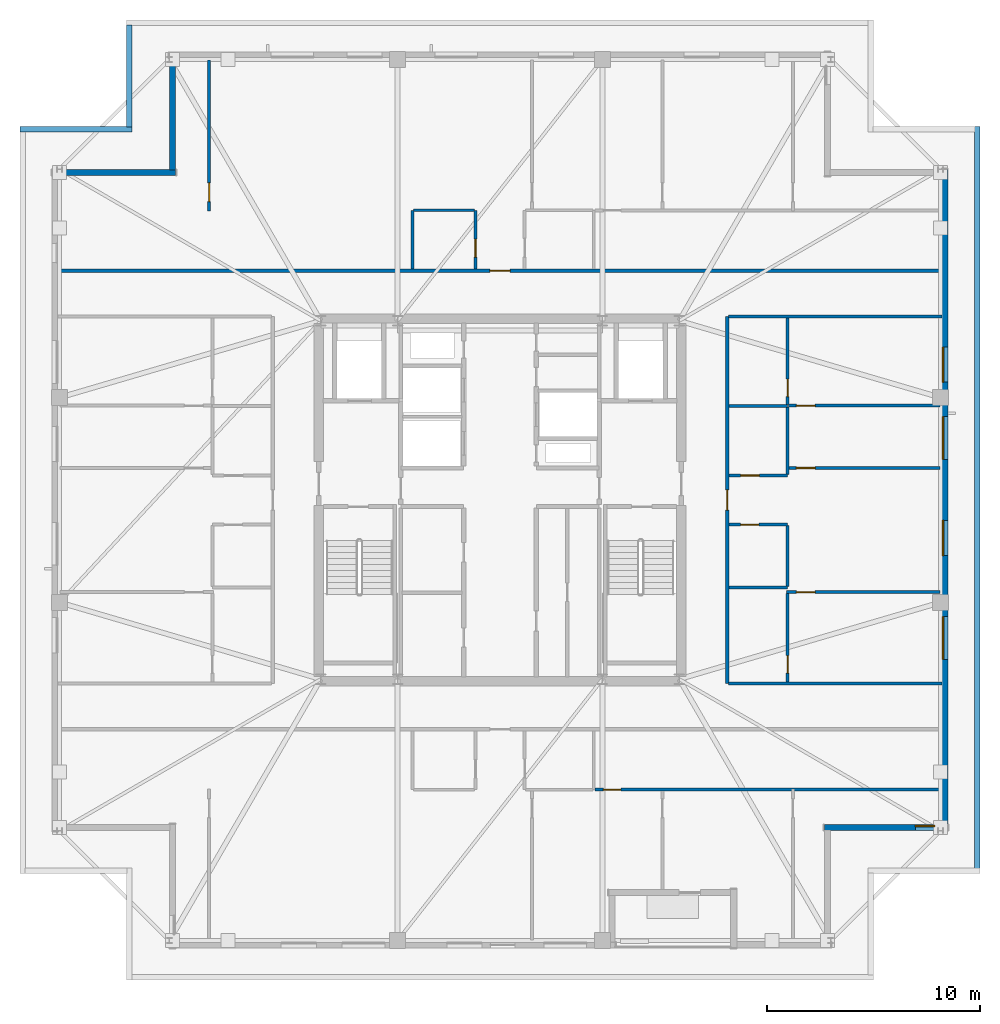
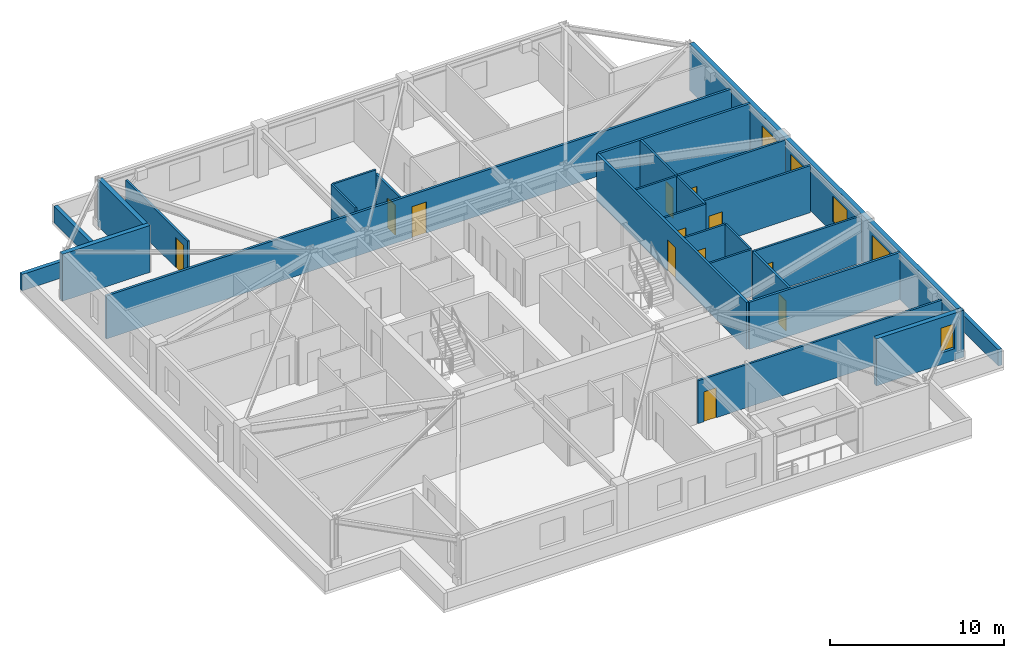
# One storey, part 10 of 15: 27 walls, 12 doors, 5 windows, 17 openings.
"""IFC4 building model written with IfcOpenShell, lengths in metres."""

from ifc_helpers import new_model, si_unit, direction, frame, frame_2d, origin, place, context, subcontext, project, spatial, rectangle, extrude, material, layer, layer_set, type_object, element, fill, save


model = new_model("IFC4")

# Units and contexts
model_context = context("Model", 3, precision=1e-05, world=origin(), true_north=direction((0.0, 1.0)))
body_context = subcontext(model_context, "Body", "Model", "MODEL_VIEW")
ifc_project = project(units=[si_unit("LENGTHUNIT", "METRE"), si_unit("AREAUNIT", "SQUARE_METRE"), si_unit("VOLUMEUNIT", "CUBIC_METRE"), si_unit("PLANEANGLEUNIT", "RADIAN"), si_unit("MASSUNIT", "GRAM", prefix="KILO")], contexts=[model_context])

# Site, building, storey
site_placement = place(None, origin())
site = spatial("IfcSite", under=ifc_project, at=site_placement, CompositionType="ELEMENT")
building_placement = place(site_placement, origin())
building = spatial("IfcBuilding", under=site, at=building_placement, Name="Cairnveth Concourse Tower", CompositionType="ELEMENT")
storey_placement = place(building_placement, frame((0.0, 0.0, 280.5)))
storey = spatial("IfcBuildingStorey", under=building, at=storey_placement, Name="L77", CompositionType="ELEMENT", Elevation=280.5)

# Wall, opening, door
ifc_material_1 = material(Name="Gypsum Plasterboard Partition", Category="gypsum")
ifc_layer_1 = layer(ifc_material_1, 0.159912109375)
ifc_layer_set_1 = layer_set([ifc_layer_1], Name="Gypsum Plasterboard Partition")
wall_type_1 = type_object("IfcWallType", Name="ACOUSTIC PARTY WALL 180", PredefinedType="PARTITIONING", material=ifc_layer_set_1)
wall_1_placement = place(storey_placement, frame((31.284912109375, 49.75, 0.0), z_axis=(0.0, 0.0, 1.0), x_axis=(1.0, 0.0, 0.0)))
wall_1 = element("IfcWall", 1, at=wall_1_placement, inside=storey, type_object=wall_type_1, Name="Interior Wall IW-L77-037", PredefinedType="PARTITIONING", context=body_context, shape_type="SweptSolid", body=[
    extrude(rectangle(XDim=41.43017578125, YDim=0.159912109375, at=frame_2d((20.715087890625, 0.0))), origin(), (0.0, 0.0, 1.0), 3.009033203125),
])
opening_1_placement = place(wall_1_placement, frame((20.235107421875, 0.0, 0.0)))
opening_1 = element("IfcOpeningElement", 2, at=opening_1_placement, cuts=wall_1, Name="Opening ID10", PredefinedType="OPENING", context=body_context, shape_type="SweptSolid", body=[
    extrude(rectangle(XDim=0.9599609375, YDim=2.179931640625, at=frame_2d((0.47998046875, 1.08984375))), frame((0.0, 0.08984375, 0.0), z_axis=(0.0, -1.0, 0.0), x_axis=(1.0, 0.0, 0.0)), (0.0, 0.0, 1.0), 0.179931640625),
])
ifc_material_2 = material(Name="Solid Core Hardwood Timber Leaf", Category="wood")
door_type_1 = type_object("IfcDoorType", Name="FLAT ENTRANCE DOOR 960X2150", OperationType="NOTDEFINED", PredefinedType="DOOR", material=ifc_material_2)
door_1_placement = place(opening_1_placement, origin())
door_1 = element("IfcDoor", 3, at=door_1_placement, inside=storey, type_object=door_type_1, Name="Penthouse L77PN1 Entrance Door", OperationType="SINGLE_SWING_LEFT", OverallHeight=2.179931640625, OverallWidth=0.9599609375, PredefinedType="DOOR", context=body_context, shape_type="SweptSolid", body=[
    extrude(rectangle(XDim=0.9599609375, YDim=2.179931640625, at=frame_2d((0.47998046875, 1.08984375))), frame((0.0, 0.02490234375, 0.0), z_axis=(0.0, -1.0, 0.0), x_axis=(1.0, 0.0, 0.0)), (0.0, 0.0, 1.0), 0.050048828125),
])
fill(opening_1, door_1)

wall_2_placement = place(storey_placement, frame((62.64990234375, 30.39990234375, 0.0), z_axis=(0.0, 0.0, 1.0), x_axis=(0.0, 1.0, 0.0)))
wall_2 = element("IfcWall", 4, at=wall_2_placement, inside=storey, type_object=wall_type_1, Name="Interior Wall IW-L77-039", PredefinedType="PARTITIONING", context=body_context, shape_type="SweptSolid", body=[
    extrude(rectangle(XDim=17.2001953125, YDim=0.159912109375, at=frame_2d((8.60009765625, 0.0))), origin(), (0.0, 0.0, 1.0), 3.2900390625),
])
opening_2_placement = place(wall_2_placement, frame((8.1201171875, 0.0, 0.0)))
opening_2 = element("IfcOpeningElement", 5, at=opening_2_placement, cuts=wall_2, Name="Opening ID10", PredefinedType="OPENING", context=body_context, shape_type="SweptSolid", body=[
    extrude(rectangle(XDim=0.9599609375, YDim=2.179931640625, at=frame_2d((0.47998046875, 1.08984375))), frame((0.0, 0.08984375, 0.0), z_axis=(0.0, -1.0, 0.0), x_axis=(1.0, 0.0, 0.0)), (0.0, 0.0, 1.0), 0.179931640625),
])
door_2_placement = place(opening_2_placement, origin())
door_2 = element("IfcDoor", 6, at=door_2_placement, inside=storey, type_object=door_type_1, Name="Penthouse L77PE1 Entrance Door", OperationType="SINGLE_SWING_LEFT", OverallHeight=2.179931640625, OverallWidth=0.9599609375, PredefinedType="DOOR", context=body_context, shape_type="SweptSolid", body=[
    extrude(rectangle(XDim=0.9599609375, YDim=2.179931640625, at=frame_2d((0.47998046875, 1.08984375))), frame((0.0, 0.02490234375, 0.0), z_axis=(0.0, -1.0, 0.0), x_axis=(1.0, 0.0, 0.0)), (0.0, 0.0, 1.0), 0.050048828125),
])
fill(opening_2, door_2)

# Walls
for number, where, z_axis, x_axis, name in (
    (7, (62.715087890625, 30.39990234375, 0.0), (0.0, 0.0, 1.0), (1.0, 0.0, 0.0), "Interior Wall IW-L77-042"),
    (8, (62.715087890625, 47.60009765625, 0.0), (0.0, 0.0, 1.0), (1.0, 0.0, 0.0), "Interior Wall IW-L77-043"),
):
    element("IfcWall", number, at=place(storey_placement, frame(where, z_axis=z_axis, x_axis=x_axis)), inside=storey, type_object=wall_type_1, Name=name, PredefinedType="PARTITIONING", context=body_context, shape_type="SweptSolid", body=[
        extrude(rectangle(XDim=10.0, YDim=0.159912109375, at=frame_2d((5.0, 0.0))), origin(), (0.0, 0.0, 1.0), 3.2900390625),
    ])

# Wall, opening, door
ifc_layer_2 = layer(ifc_material_1, 0.139892578125)
ifc_layer_set_2 = layer_set([ifc_layer_2], Name="Gypsum Plasterboard Partition")
wall_type_2 = type_object("IfcWallType", Name="GYPSUM STUD PARTITION 140", PredefinedType="PARTITIONING", material=ifc_layer_set_2)
wall_3_placement = place(storey_placement, frame((56.449951171875, 25.419921875, 0.0), z_axis=(0.0, 0.0, 1.0), x_axis=(1.0, 0.0, 0.0)))
wall_3 = element("IfcWall", 9, at=wall_3_placement, inside=storey, type_object=wall_type_2, Name="Interior Wall IW-L77-052", PredefinedType="PARTITIONING", context=body_context, shape_type="SweptSolid", body=[
    extrude(rectangle(XDim=16.179931640625, YDim=0.139892578125, at=frame_2d((8.08984375, 0.0))), origin(), (0.0, 0.0, 1.0), 3.009033203125),
])
opening_3_placement = place(wall_3_placement, frame((0.39990234375, 0.0, 0.0)))
opening_3 = element("IfcOpeningElement", 10, at=opening_3_placement, cuts=wall_3, Name="Opening ID22", PredefinedType="OPENING", context=body_context, shape_type="SweptSolid", body=[
    extrude(rectangle(XDim=0.820068359375, YDim=2.10009765625, at=frame_2d((0.41015625, 1.050048828125))), frame((0.0, 0.079833984375, 0.0), z_axis=(0.0, -1.0, 0.0), x_axis=(1.0, 0.0, 0.0)), (0.0, 0.0, 1.0), 0.159912109375),
])
door_type_2 = type_object("IfcDoorType", Name="INTERIOR WC DOOR 820X2100", OperationType="NOTDEFINED", PredefinedType="DOOR", material=ifc_material_2)
door_3_placement = place(opening_3_placement, origin())
door_3 = element("IfcDoor", 11, at=door_3_placement, inside=storey, type_object=door_type_2, Name="L77PS1 Utility Door", OperationType="SINGLE_SWING_LEFT", OverallHeight=2.10009765625, OverallWidth=0.820068359375, PredefinedType="DOOR", context=body_context, shape_type="SweptSolid", body=[
    extrude(rectangle(XDim=0.820068359375, YDim=2.10009765625, at=frame_2d((0.41015625, 1.050048828125))), frame((0.0, 0.02490234375, 0.0), z_axis=(0.0, -1.0, 0.0), x_axis=(1.0, 0.0, 0.0)), (0.0, 0.0, 1.0), 0.050048828125),
])
fill(opening_3, door_3)

wall_4_placement = place(storey_placement, frame((38.3701171875, 52.5400390625, 0.0), z_axis=(0.0, 0.0, 1.0), x_axis=(0.0, 1.0, 0.0)))
wall_4 = element("IfcWall", 12, at=wall_4_placement, inside=storey, type_object=wall_type_2, Name="Interior Wall IW-L77-061", PredefinedType="PARTITIONING", context=body_context, shape_type="SweptSolid", body=[
    extrude(rectangle(XDim=7.080078125, YDim=0.139892578125, at=frame_2d((3.5400390625, 0.0))), origin(), (0.0, 0.0, 1.0), 2.653076171875),
])
opening_4_placement = place(wall_4_placement, frame((0.449951171875, 0.0, 0.0)))
opening_4 = element("IfcOpeningElement", 13, at=opening_4_placement, cuts=wall_4, Name="Opening ID18", PredefinedType="OPENING", context=body_context, shape_type="SweptSolid", body=[
    extrude(rectangle(XDim=0.8798828125, YDim=2.10009765625, at=frame_2d((0.43994140625, 1.050048828125))), frame((0.0, 0.079833984375, 0.0), z_axis=(0.0, -1.0, 0.0), x_axis=(1.0, 0.0, 0.0)), (0.0, 0.0, 1.0), 0.159912109375),
])
door_type_3 = type_object("IfcDoorType", Name="INTERIOR SINGLE DOOR 880X2100", OperationType="NOTDEFINED", PredefinedType="DOOR", material=ifc_material_2)
door_4_placement = place(opening_4_placement, origin())
door_4 = element("IfcDoor", 14, at=door_4_placement, inside=storey, type_object=door_type_3, Name="L77PN1 Master Bedroom Door", OperationType="SINGLE_SWING_RIGHT", OverallHeight=2.10009765625, OverallWidth=0.8798828125, PredefinedType="DOOR", context=body_context, shape_type="SweptSolid", body=[
    extrude(rectangle(XDim=0.8798828125, YDim=2.10009765625, at=frame_2d((0.43994140625, 1.050048828125))), frame((0.0, 0.02490234375, 0.0), z_axis=(0.0, -1.0, 0.0), x_axis=(1.0, 0.0, 0.0)), (0.0, 0.0, 1.0), 0.050048828125),
])
fill(opening_4, door_4)

wall_5_placement = place(storey_placement, frame((65.43994140625, 34.679931640625, 0.0), z_axis=(0.0, 0.0, 1.0), x_axis=(1.0, 0.0, 0.0)))
wall_5 = element("IfcWall", 15, at=wall_5_placement, inside=storey, type_object=wall_type_2, Name="Interior Wall IW-L77-083", PredefinedType="PARTITIONING", context=body_context, shape_type="SweptSolid", body=[
    extrude(rectangle(XDim=7.18017578125, YDim=0.139892578125, at=frame_2d((3.590087890625, 0.0))), origin(), (0.0, 0.0, 1.0), 3.2900390625),
])
opening_5_placement = place(wall_5_placement, frame((0.449951171875, 0.0, 0.0)))
opening_5 = element("IfcOpeningElement", 16, at=opening_5_placement, cuts=wall_5, Name="Opening ID18", PredefinedType="OPENING", context=body_context, shape_type="SweptSolid", body=[
    extrude(rectangle(XDim=0.8798828125, YDim=2.10009765625, at=frame_2d((0.43994140625, 1.050048828125))), frame((0.0, 0.079833984375, 0.0), z_axis=(0.0, -1.0, 0.0), x_axis=(1.0, 0.0, 0.0)), (0.0, 0.0, 1.0), 0.159912109375),
])
door_5_placement = place(opening_5_placement, origin())
door_5 = element("IfcDoor", 17, at=door_5_placement, inside=storey, type_object=door_type_3, Name="L77PE1 Master Bedroom Door", OperationType="SINGLE_SWING_LEFT", OverallHeight=2.10009765625, OverallWidth=0.8798828125, PredefinedType="DOOR", context=body_context, shape_type="SweptSolid", body=[
    extrude(rectangle(XDim=0.8798828125, YDim=2.10009765625, at=frame_2d((0.43994140625, 1.050048828125))), frame((0.0, 0.02490234375, 0.0), z_axis=(0.0, -1.0, 0.0), x_axis=(1.0, 0.0, 0.0)), (0.0, 0.0, 1.0), 0.050048828125),
])
fill(opening_5, door_5)

wall_6_placement = place(storey_placement, frame((65.47998046875, 30.465087890625, 0.0), z_axis=(0.0, 0.0, 1.0), x_axis=(0.0, 1.0, 0.0)))
wall_6 = element("IfcWall", 18, at=wall_6_placement, inside=storey, type_object=wall_type_2, Name="Interior Wall IW-L77-084", PredefinedType="PARTITIONING", context=body_context, shape_type="SweptSolid", body=[
    extrude(rectangle(XDim=4.159912109375, YDim=0.139892578125, at=frame_2d((2.080078125, 0.0))), origin(), (0.0, 0.0, 1.0), 3.2900390625),
])
opening_6_placement = place(wall_6_placement, frame((0.4150390625, 0.0, 0.0)))
opening_6 = element("IfcOpeningElement", 19, at=opening_6_placement, cuts=wall_6, Name="Opening ID22", PredefinedType="OPENING", context=body_context, shape_type="SweptSolid", body=[
    extrude(rectangle(XDim=0.820068359375, YDim=2.10009765625, at=frame_2d((0.41015625, 1.050048828125))), frame((0.0, 0.079833984375, 0.0), z_axis=(0.0, -1.0, 0.0), x_axis=(1.0, 0.0, 0.0)), (0.0, 0.0, 1.0), 0.159912109375),
])
door_6_placement = place(opening_6_placement, origin())
door_6 = element("IfcDoor", 20, at=door_6_placement, inside=storey, type_object=door_type_2, Name="L77PE1 Dressing Door", OperationType="SINGLE_SWING_RIGHT", OverallHeight=2.10009765625, OverallWidth=0.820068359375, PredefinedType="DOOR", context=body_context, shape_type="SweptSolid", body=[
    extrude(rectangle(XDim=0.820068359375, YDim=2.10009765625, at=frame_2d((0.41015625, 1.050048828125))), frame((0.0, 0.02490234375, 0.0), z_axis=(0.0, -1.0, 0.0), x_axis=(1.0, 0.0, 0.0)), (0.0, 0.0, 1.0), 0.050048828125),
])
fill(opening_6, door_6)

wall_7_placement = place(storey_placement, frame((65.530029296875, 43.419921875, 0.0), z_axis=(0.0, 0.0, 1.0), x_axis=(1.0, 0.0, 0.0)))
wall_7 = element("IfcWall", 21, at=wall_7_placement, inside=storey, type_object=wall_type_2, Name="Interior Wall IW-L77-085", PredefinedType="PARTITIONING", context=body_context, shape_type="SweptSolid", body=[
    extrude(rectangle(XDim=7.090087890625, YDim=0.139892578125, at=frame_2d((3.544921875, 0.0))), origin(), (0.0, 0.0, 1.0), 3.2900390625),
])
opening_7_placement = place(wall_7_placement, frame((0.360107421875, 0.0, 0.0)))
opening_7 = element("IfcOpeningElement", 22, at=opening_7_placement, cuts=wall_7, Name="Opening ID18", PredefinedType="OPENING", context=body_context, shape_type="SweptSolid", body=[
    extrude(rectangle(XDim=0.8798828125, YDim=2.10009765625, at=frame_2d((0.43994140625, 1.050048828125))), frame((0.0, 0.079833984375, 0.0), z_axis=(0.0, -1.0, 0.0), x_axis=(1.0, 0.0, 0.0)), (0.0, 0.0, 1.0), 0.159912109375),
])
door_7_placement = place(opening_7_placement, origin())
door_7 = element("IfcDoor", 23, at=door_7_placement, inside=storey, type_object=door_type_3, Name="L77PE1 Bedroom 2 Door", OperationType="SINGLE_SWING_LEFT", OverallHeight=2.10009765625, OverallWidth=0.8798828125, PredefinedType="DOOR", context=body_context, shape_type="SweptSolid", body=[
    extrude(rectangle(XDim=0.8798828125, YDim=2.10009765625, at=frame_2d((0.43994140625, 1.050048828125))), frame((0.0, 0.02490234375, 0.0), z_axis=(0.0, -1.0, 0.0), x_axis=(1.0, 0.0, 0.0)), (0.0, 0.0, 1.0), 0.050048828125),
])
fill(opening_7, door_7)

wall_8_placement = place(storey_placement, frame((65.47998046875, 43.47509765625, 0.0), z_axis=(0.0, 0.0, 1.0), x_axis=(0.0, 1.0, 0.0)))
wall_8 = element("IfcWall", 24, at=wall_8_placement, inside=storey, type_object=wall_type_2, Name="Interior Wall IW-L77-086", PredefinedType="PARTITIONING", context=body_context, shape_type="SweptSolid", body=[
    extrude(rectangle(XDim=4.059814453125, YDim=0.139892578125, at=frame_2d((2.02978515625, 0.0))), origin(), (0.0, 0.0, 1.0), 3.2900390625),
])
opening_8_placement = place(wall_8_placement, frame((0.375, 0.0, 0.0)))
opening_8 = element("IfcOpeningElement", 25, at=opening_8_placement, cuts=wall_8, Name="Opening ID22", PredefinedType="OPENING", context=body_context, shape_type="SweptSolid", body=[
    extrude(rectangle(XDim=0.820068359375, YDim=2.10009765625, at=frame_2d((0.41015625, 1.050048828125))), frame((0.0, 0.079833984375, 0.0), z_axis=(0.0, -1.0, 0.0), x_axis=(1.0, 0.0, 0.0)), (0.0, 0.0, 1.0), 0.159912109375),
])
door_8_placement = place(opening_8_placement, origin())
door_8 = element("IfcDoor", 26, at=door_8_placement, inside=storey, type_object=door_type_2, Name="L77PE1 Utility Door", OperationType="SINGLE_SWING_RIGHT", OverallHeight=2.10009765625, OverallWidth=0.820068359375, PredefinedType="DOOR", context=body_context, shape_type="SweptSolid", body=[
    extrude(rectangle(XDim=0.820068359375, YDim=2.10009765625, at=frame_2d((0.41015625, 1.050048828125))), frame((0.0, 0.02490234375, 0.0), z_axis=(0.0, -1.0, 0.0), x_axis=(1.0, 0.0, 0.0)), (0.0, 0.0, 1.0), 0.050048828125),
])
fill(opening_8, door_8)

wall_9_placement = place(storey_placement, frame((65.530029296875, 40.5, 0.0), z_axis=(0.0, 0.0, 1.0), x_axis=(1.0, 0.0, 0.0)))
wall_9 = element("IfcWall", 27, at=wall_9_placement, inside=storey, type_object=wall_type_2, Name="Interior Wall IW-L77-087", PredefinedType="PARTITIONING", context=body_context, shape_type="SweptSolid", body=[
    extrude(rectangle(XDim=7.090087890625, YDim=0.139892578125, at=frame_2d((3.544921875, 0.0))), origin(), (0.0, 0.0, 1.0), 3.2900390625),
])
opening_9_placement = place(wall_9_placement, frame((0.360107421875, 0.0, 0.0)))
opening_9 = element("IfcOpeningElement", 28, at=opening_9_placement, cuts=wall_9, Name="Opening ID18", PredefinedType="OPENING", context=body_context, shape_type="SweptSolid", body=[
    extrude(rectangle(XDim=0.8798828125, YDim=2.10009765625, at=frame_2d((0.43994140625, 1.050048828125))), frame((0.0, 0.079833984375, 0.0), z_axis=(0.0, -1.0, 0.0), x_axis=(1.0, 0.0, 0.0)), (0.0, 0.0, 1.0), 0.159912109375),
])
door_9_placement = place(opening_9_placement, origin())
door_9 = element("IfcDoor", 29, at=door_9_placement, inside=storey, type_object=door_type_3, Name="L77PE1 Media Lounge Door", OperationType="SINGLE_SWING_RIGHT", OverallHeight=2.10009765625, OverallWidth=0.8798828125, PredefinedType="DOOR", context=body_context, shape_type="SweptSolid", body=[
    extrude(rectangle(XDim=0.8798828125, YDim=2.10009765625, at=frame_2d((0.43994140625, 1.050048828125))), frame((0.0, 0.02490234375, 0.0), z_axis=(0.0, -1.0, 0.0), x_axis=(1.0, 0.0, 0.0)), (0.0, 0.0, 1.0), 0.050048828125),
])
fill(opening_9, door_9)

# Walls
ifc_material_3 = material(Name="Hawthorn Red-Ochre Fired Clay Brick Masonry", Category="masonry")
ifc_layer_3 = layer(ifc_material_3, 0.25)
ifc_layer_set_3 = layer_set([ifc_layer_3], Name="Hawthorn Red-Ochre Fired Clay Brick Masonry")
wall_type_3 = type_object("IfcWallType", Name="ROOF MASONRY PARAPET WALL 250", PredefinedType="PARAPET", material=ifc_layer_set_3)
wall_10_placement = place(storey_placement, frame((29.5, 56.375, 0.0), z_axis=(0.0, 0.0, 1.0), x_axis=(1.0, 0.0, 0.0)))
element("IfcWall", 30, at=wall_10_placement, inside=storey, type_object=wall_type_3, Name="Exterior Wall EP-L77-SB03", PredefinedType="PARAPET", context=body_context, shape_type="SweptSolid", body=[
    extrude(rectangle(XDim=5.25, YDim=0.25, at=frame_2d((2.625, 0.0))), origin(), (0.0, 0.0, 1.0), 1.14990234375),
])
wall_11_placement = place(storey_placement, frame((34.625, 56.47802734375, 0.0), z_axis=(0.0, 0.0, 1.0), x_axis=(0.0, 1.0, 0.0)))
element("IfcWall", 31, at=wall_11_placement, inside=storey, type_object=wall_type_3, Name="Exterior Wall EP-L77-SB04", PredefinedType="PARAPET", context=body_context, shape_type="SweptSolid", body=[
    extrude(rectangle(XDim=4.7939453125, YDim=0.25, at=frame_2d((2.39697265625, 0.0))), origin(), (0.0, 0.0, 1.0), 1.14990234375),
])
wall_12_placement = place(storey_placement, frame((74.375, 56.5, 0.0), z_axis=(0.0, 0.0, 1.0), x_axis=(0.0, -1.0, 0.0)))
element("IfcWall", 32, at=wall_12_placement, inside=storey, type_object=wall_type_3, Name="Exterior Wall EP-L77-SB08", PredefinedType="PARAPET", context=body_context, shape_type="SweptSolid", body=[
    extrude(rectangle(XDim=34.77197265625, YDim=0.25, at=frame_2d((17.385986328125, 0.0))), origin(), (0.0, 0.0, 1.0), 1.14990234375),
])
ifc_layer_4 = layer(ifc_material_1, 0.1298828125)
ifc_layer_set_4 = layer_set([ifc_layer_4], Name="Gypsum Plasterboard Partition")
wall_type_4 = type_object("IfcWallType", Name="WET AREA PARTITION 140", PredefinedType="PLUMBINGWALL", material=ifc_layer_set_4)
wall_13_placement = place(storey_placement, frame((47.89990234375, 49.830078125, 0.0), z_axis=(0.0, 0.0, 1.0), x_axis=(0.0, 1.0, 0.0)))
element("IfcWall", 33, at=wall_13_placement, inside=storey, type_object=wall_type_4, Name="Interior Wall IW-L77-055", PredefinedType="PLUMBINGWALL", context=body_context, shape_type="SweptSolid", body=[
    extrude(rectangle(XDim=2.75, YDim=0.1298828125, at=frame_2d((1.375, 0.0))), origin(), (0.0, 0.0, 1.0), 3.2900390625),
])

# Wall, opening, door
wall_14_placement = place(storey_placement, frame((50.85009765625, 49.830078125, 0.0), z_axis=(0.0, 0.0, 1.0), x_axis=(0.0, 1.0, 0.0)))
wall_14 = element("IfcWall", 34, at=wall_14_placement, inside=storey, type_object=wall_type_4, Name="Interior Wall IW-L77-056", PredefinedType="PLUMBINGWALL", context=body_context, shape_type="SweptSolid", body=[
    extrude(rectangle(XDim=2.75, YDim=0.1298828125, at=frame_2d((1.375, 0.0))), origin(), (0.0, 0.0, 1.0), 3.009033203125),
])
opening_10_placement = place(wall_14_placement, frame((0.550048828125, 0.0, 0.0)))
opening_10 = element("IfcOpeningElement", 35, at=opening_10_placement, cuts=wall_14, Name="Opening ID21", PredefinedType="OPENING", context=body_context, shape_type="SweptSolid", body=[
    extrude(rectangle(XDim=0.85009765625, YDim=2.080078125, at=frame_2d((0.425048828125, 1.0400390625))), frame((0.0, 0.074951171875, 0.0), z_axis=(0.0, -1.0, 0.0), x_axis=(1.0, 0.0, 0.0)), (0.0, 0.0, 1.0), 0.14990234375),
])
door_type_4 = type_object("IfcDoorType", Name="INTERIOR WC DOOR 850X2100", OperationType="NOTDEFINED", PredefinedType="DOOR", material=ifc_material_2)
door_10_placement = place(opening_10_placement, origin())
door_10 = element("IfcDoor", 36, at=door_10_placement, inside=storey, type_object=door_type_4, Name="L77PN1 Bathroom Door", OperationType="SINGLE_SWING_RIGHT", OverallHeight=2.080078125, OverallWidth=0.85009765625, PredefinedType="DOOR", context=body_context, shape_type="SweptSolid", body=[
    extrude(rectangle(XDim=0.85009765625, YDim=2.080078125, at=frame_2d((0.425048828125, 1.0400390625))), frame((0.0, 0.02490234375, 0.0), z_axis=(0.0, -1.0, 0.0), x_axis=(1.0, 0.0, 0.0)), (0.0, 0.0, 1.0), 0.050048828125),
])
fill(opening_10, door_10)

# Walls
wall_15_placement = place(storey_placement, frame((47.949951171875, 52.580078125, 0.0), z_axis=(0.0, 0.0, 1.0), x_axis=(1.0, 0.0, 0.0)))
element("IfcWall", 37, at=wall_15_placement, inside=storey, type_object=wall_type_4, Name="Interior Wall IW-L77-057", PredefinedType="PLUMBINGWALL", context=body_context, shape_type="SweptSolid", body=[
    extrude(rectangle(XDim=2.85009765625, YDim=0.1298828125, at=frame_2d((1.425048828125, 0.0))), origin(), (0.0, 0.0, 1.0), 3.2900390625),
])
wall_16_placement = place(storey_placement, frame((62.72998046875, 34.89990234375, 0.0), z_axis=(0.0, 0.0, 1.0), x_axis=(1.0, 0.0, 0.0)))
element("IfcWall", 38, at=wall_16_placement, inside=storey, type_object=wall_type_4, Name="Interior Wall IW-L77-077", PredefinedType="PLUMBINGWALL", context=body_context, shape_type="SweptSolid", body=[
    extrude(rectangle(XDim=2.75, YDim=0.1298828125, at=frame_2d((1.375, 0.0))), origin(), (0.0, 0.0, 1.0), 3.2900390625),
])

# Wall, opening, door
wall_17_placement = place(storey_placement, frame((62.72998046875, 37.85009765625, 0.0), z_axis=(0.0, 0.0, 1.0), x_axis=(1.0, 0.0, 0.0)))
wall_17 = element("IfcWall", 39, at=wall_17_placement, inside=storey, type_object=wall_type_4, Name="Interior Wall IW-L77-078", PredefinedType="PLUMBINGWALL", context=body_context, shape_type="SweptSolid", body=[
    extrude(rectangle(XDim=2.75, YDim=0.1298828125, at=frame_2d((1.375, 0.0))), origin(), (0.0, 0.0, 1.0), 3.2900390625),
])
opening_11_placement = place(wall_17_placement, frame((0.550048828125, 0.0, 0.0)))
opening_11 = element("IfcOpeningElement", 40, at=opening_11_placement, cuts=wall_17, Name="Opening ID21", PredefinedType="OPENING", context=body_context, shape_type="SweptSolid", body=[
    extrude(rectangle(XDim=0.85009765625, YDim=2.080078125, at=frame_2d((0.425048828125, 1.0400390625))), frame((0.0, 0.074951171875, 0.0), z_axis=(0.0, -1.0, 0.0), x_axis=(1.0, 0.0, 0.0)), (0.0, 0.0, 1.0), 0.14990234375),
])
door_11_placement = place(opening_11_placement, origin())
door_11 = element("IfcDoor", 41, at=door_11_placement, inside=storey, type_object=door_type_4, Name="L77PE1 Bathroom Door", OperationType="SINGLE_SWING_RIGHT", OverallHeight=2.080078125, OverallWidth=0.85009765625, PredefinedType="DOOR", context=body_context, shape_type="SweptSolid", body=[
    extrude(rectangle(XDim=0.85009765625, YDim=2.080078125, at=frame_2d((0.425048828125, 1.0400390625))), frame((0.0, 0.02490234375, 0.0), z_axis=(0.0, -1.0, 0.0), x_axis=(1.0, 0.0, 0.0)), (0.0, 0.0, 1.0), 0.050048828125),
])
fill(opening_11, door_11)

# Walls
wall_18_placement = place(storey_placement, frame((65.47998046875, 34.949951171875, 0.0), z_axis=(0.0, 0.0, 1.0), x_axis=(0.0, 1.0, 0.0)))
element("IfcWall", 42, at=wall_18_placement, inside=storey, type_object=wall_type_4, Name="Interior Wall IW-L77-079", PredefinedType="PLUMBINGWALL", context=body_context, shape_type="SweptSolid", body=[
    extrude(rectangle(XDim=2.85009765625, YDim=0.1298828125, at=frame_2d((1.425048828125, 0.0))), origin(), (0.0, 0.0, 1.0), 3.2900390625),
])
wall_19_placement = place(storey_placement, frame((62.72998046875, 43.39990234375, 0.0), z_axis=(0.0, 0.0, 1.0), x_axis=(1.0, 0.0, 0.0)))
element("IfcWall", 43, at=wall_19_placement, inside=storey, type_object=wall_type_4, Name="Interior Wall IW-L77-080", PredefinedType="PLUMBINGWALL", context=body_context, shape_type="SweptSolid", body=[
    extrude(rectangle(XDim=2.75, YDim=0.1298828125, at=frame_2d((1.375, 0.0))), origin(), (0.0, 0.0, 1.0), 3.2900390625),
])

# Wall, opening, door
wall_20_placement = place(storey_placement, frame((62.72998046875, 40.14990234375, 0.0), z_axis=(0.0, 0.0, 1.0), x_axis=(1.0, 0.0, 0.0)))
wall_20 = element("IfcWall", 44, at=wall_20_placement, inside=storey, type_object=wall_type_4, Name="Interior Wall IW-L77-081", PredefinedType="PLUMBINGWALL", context=body_context, shape_type="SweptSolid", body=[
    extrude(rectangle(XDim=2.75, YDim=0.1298828125, at=frame_2d((1.375, 0.0))), origin(), (0.0, 0.0, 1.0), 3.2900390625),
])
opening_12_placement = place(wall_20_placement, frame((0.550048828125, 0.0, 0.0)))
opening_12 = element("IfcOpeningElement", 45, at=opening_12_placement, cuts=wall_20, Name="Opening ID18", PredefinedType="OPENING", context=body_context, shape_type="SweptSolid", body=[
    extrude(rectangle(XDim=0.8798828125, YDim=2.10009765625, at=frame_2d((0.43994140625, 1.050048828125))), frame((0.0, 0.074951171875, 0.0), z_axis=(0.0, -1.0, 0.0), x_axis=(1.0, 0.0, 0.0)), (0.0, 0.0, 1.0), 0.14990234375),
])
door_12_placement = place(opening_12_placement, origin())
door_12 = element("IfcDoor", 46, at=door_12_placement, inside=storey, type_object=door_type_3, Name="L77PE1 Kitchen Door", OperationType="SINGLE_SWING_LEFT", OverallHeight=2.10009765625, OverallWidth=0.8798828125, PredefinedType="DOOR", context=body_context, shape_type="SweptSolid", body=[
    extrude(rectangle(XDim=0.8798828125, YDim=2.10009765625, at=frame_2d((0.43994140625, 1.050048828125))), frame((0.0, 0.02490234375, 0.0), z_axis=(0.0, -1.0, 0.0), x_axis=(1.0, 0.0, 0.0)), (0.0, 0.0, 1.0), 0.050048828125),
])
fill(opening_12, door_12)

# Walls
wall_21_placement = place(storey_placement, frame((65.47998046875, 40.199951171875, 0.0), z_axis=(0.0, 0.0, 1.0), x_axis=(0.0, 1.0, 0.0)))
element("IfcWall", 47, at=wall_21_placement, inside=storey, type_object=wall_type_4, Name="Interior Wall IW-L77-082", PredefinedType="PLUMBINGWALL", context=body_context, shape_type="SweptSolid", body=[
    extrude(rectangle(XDim=3.150146484375, YDim=0.1298828125, at=frame_2d((1.5751953125, 0.0))), origin(), (0.0, 0.0, 1.0), 3.2900390625),
])
ifc_layer_5 = layer(ifc_material_3, 0.300048828125)
ifc_layer_set_5 = layer_set([ifc_layer_5], Name="Hawthorn Red-Ochre Fired Clay Brick Masonry")
wall_type_5 = type_object("IfcWallType", Name="ZONE 4 BRICK PIER SPANDREL WALL 300", PredefinedType="SOLIDWALL", material=ifc_layer_set_5)
wall_22_placement = place(storey_placement, frame((31.0, 54.35009765625, 0.0), z_axis=(0.0, 0.0, 1.0), x_axis=(1.0, 0.0, 0.0)))
element("IfcWall", 48, at=wall_22_placement, inside=storey, type_object=wall_type_5, Name="Exterior Wall EW-L77-S04", PredefinedType="SOLIDWALL", context=body_context, shape_type="SweptSolid", body=[
    extrude(rectangle(XDim=5.800048828125, YDim=0.300048828125, at=frame_2d((2.89990234375, 0.0))), origin(), (0.0, 0.0, 1.0), 3.2900390625),
])
wall_23_placement = place(storey_placement, frame((36.64990234375, 54.47802734375, 0.0), z_axis=(0.0, 0.0, 1.0), x_axis=(0.0, 1.0, 0.0)))
element("IfcWall", 49, at=wall_23_placement, inside=storey, type_object=wall_type_5, Name="Exterior Wall EW-L77-S05", PredefinedType="SOLIDWALL", context=body_context, shape_type="SweptSolid", body=[
    extrude(rectangle(XDim=5.243896484375, YDim=0.300048828125, at=frame_2d((2.6220703125, 0.0))), origin(), (0.0, 0.0, 1.0), 3.2900390625),
])

# Wall, openings, windows
wall_24_placement = place(storey_placement, frame((72.85009765625, 54.5, 0.0), z_axis=(0.0, 0.0, 1.0), x_axis=(0.0, -1.0, 0.0)))
wall_24 = element("IfcWall", 50, at=wall_24_placement, inside=storey, type_object=wall_type_5, Name="Exterior Wall EW-L77-S09", PredefinedType="SOLIDWALL", context=body_context, shape_type="SweptSolid", body=[
    extrude(rectangle(XDim=30.721923828125, YDim=0.300048828125, at=frame_2d((15.36083984375, 0.0))), origin(), (0.0, 0.0, 1.0), 3.2900390625),
])
opening_13_placement = place(wall_24_placement, frame((8.33056640625, 0.0, 0.800048828125)))
opening_13 = element("IfcOpeningElement", 51, at=opening_13_placement, cuts=wall_24, Name="Opening W04", PredefinedType="OPENING", context=body_context, shape_type="SweptSolid", body=[
    extrude(rectangle(XDim=1.64990234375, YDim=1.758056640625, at=frame_2d((0.824951171875, 0.87890625))), frame((0.0, 0.159912109375, 0.0), z_axis=(0.0, -1.0, 0.0), x_axis=(1.0, 0.0, 0.0)), (0.0, 0.0, 1.0), 0.320068359375),
])
opening_14_placement = place(wall_24_placement, frame((11.592529296875, 0.0, 0.800048828125)))
opening_14 = element("IfcOpeningElement", 52, at=opening_14_placement, cuts=wall_24, Name="Opening W09", PredefinedType="OPENING", context=body_context, shape_type="SweptSolid", body=[
    extrude(rectangle(XDim=2.0, YDim=1.758056640625, at=frame_2d((1.0, 0.87890625))), frame((0.0, 0.159912109375, 0.0), z_axis=(0.0, -1.0, 0.0), x_axis=(1.0, 0.0, 0.0)), (0.0, 0.0, 1.0), 0.320068359375),
])
opening_15_placement = place(wall_24_placement, frame((16.45458984375, 0.0, 0.800048828125)))
opening_15 = element("IfcOpeningElement", 53, at=opening_15_placement, cuts=wall_24, Name="Opening W04", PredefinedType="OPENING", context=body_context, shape_type="SweptSolid", body=[
    extrude(rectangle(XDim=1.64990234375, YDim=1.758056640625, at=frame_2d((0.824951171875, 0.87890625))), frame((0.0, 0.159912109375, 0.0), z_axis=(0.0, -1.0, 0.0), x_axis=(1.0, 0.0, 0.0)), (0.0, 0.0, 1.0), 0.320068359375),
])
opening_16_placement = place(wall_24_placement, frame((20.966552734375, 0.0, 0.800048828125)))
opening_16 = element("IfcOpeningElement", 54, at=opening_16_placement, cuts=wall_24, Name="Opening W09", PredefinedType="OPENING", context=body_context, shape_type="SweptSolid", body=[
    extrude(rectangle(XDim=2.0, YDim=1.758056640625, at=frame_2d((1.0, 0.87890625))), frame((0.0, 0.159912109375, 0.0), z_axis=(0.0, -1.0, 0.0), x_axis=(1.0, 0.0, 0.0)), (0.0, 0.0, 1.0), 0.320068359375),
])
ifc_material_4 = material(Name="Double Glazed Low-E Clear Glass", Category="glass")
window_type_1 = type_object("IfcWindowType", Name="DEEP-SET GOTHIC LANCET WINDOW 1650X1850", PartitioningType="DOUBLE_PANEL_VERTICAL", PredefinedType="WINDOW", material=ifc_material_4)
window_1_placement = place(opening_13_placement, origin())
window_1 = element("IfcWindow", 55, at=window_1_placement, inside=storey, type_object=window_type_1, Name="Gothic Lancet Window L77-9-2", OverallHeight=1.758056640625, OverallWidth=1.64990234375, PartitioningType="SINGLE_PANEL", PredefinedType="WINDOW", context=body_context, shape_type="SweptSolid", body=[
    extrude(rectangle(XDim=1.64990234375, YDim=1.758056640625, at=frame_2d((0.824951171875, 0.87890625))), frame((0.0, -0.050048828125, 0.0), z_axis=(0.0, -1.0, 0.0), x_axis=(1.0, 0.0, 0.0)), (0.0, 0.0, 1.0), 0.06005859375),
])
fill(opening_13, window_1)
window_2_placement = place(opening_15_placement, origin())
window_2 = element("IfcWindow", 56, at=window_2_placement, inside=storey, type_object=window_type_1, Name="Gothic Lancet Window L77-9-4", OverallHeight=1.758056640625, OverallWidth=1.64990234375, PartitioningType="SINGLE_PANEL", PredefinedType="WINDOW", context=body_context, shape_type="SweptSolid", body=[
    extrude(rectangle(XDim=1.64990234375, YDim=1.758056640625, at=frame_2d((0.824951171875, 0.87890625))), frame((0.0, -0.050048828125, 0.0), z_axis=(0.0, -1.0, 0.0), x_axis=(1.0, 0.0, 0.0)), (0.0, 0.0, 1.0), 0.06005859375),
])
fill(opening_15, window_2)
window_type_2 = type_object("IfcWindowType", Name="DEEP-SET PENTHOUSE LANCET WINDOW 2000X1850", PartitioningType="DOUBLE_PANEL_VERTICAL", PredefinedType="WINDOW", material=ifc_material_4)
window_3_placement = place(opening_14_placement, origin())
window_3 = element("IfcWindow", 57, at=window_3_placement, inside=storey, type_object=window_type_2, Name="Gothic Lancet Window L77-9-3", OverallHeight=1.758056640625, OverallWidth=2.0, PartitioningType="SINGLE_PANEL", PredefinedType="WINDOW", context=body_context, shape_type="SweptSolid", body=[
    extrude(rectangle(XDim=2.0, YDim=1.758056640625, at=frame_2d((1.0, 0.87890625))), frame((0.0, -0.050048828125, 0.0), z_axis=(0.0, -1.0, 0.0), x_axis=(1.0, 0.0, 0.0)), (0.0, 0.0, 1.0), 0.06005859375),
])
fill(opening_14, window_3)
window_4_placement = place(opening_16_placement, origin())
window_4 = element("IfcWindow", 58, at=window_4_placement, inside=storey, type_object=window_type_2, Name="Gothic Lancet Window L77-9-5", OverallHeight=1.758056640625, OverallWidth=2.0, PartitioningType="SINGLE_PANEL", PredefinedType="WINDOW", context=body_context, shape_type="SweptSolid", body=[
    extrude(rectangle(XDim=2.0, YDim=1.758056640625, at=frame_2d((1.0, 0.87890625))), frame((0.0, -0.050048828125, 0.0), z_axis=(0.0, -1.0, 0.0), x_axis=(1.0, 0.0, 0.0)), (0.0, 0.0, 1.0), 0.06005859375),
])
fill(opening_16, window_4)

# Wall, opening, window
wall_25_placement = place(storey_placement, frame((73.0, 23.64990234375, 0.0), z_axis=(0.0, 0.0, 1.0), x_axis=(-1.0, 0.0, 0.0)))
wall_25 = element("IfcWall", 59, at=wall_25_placement, inside=storey, type_object=wall_type_5, Name="Exterior Wall EW-L77-S10", PredefinedType="SOLIDWALL", context=body_context, shape_type="SweptSolid", body=[
    extrude(rectangle(XDim=5.800048828125, YDim=0.300048828125, at=frame_2d((2.89990234375, 0.0))), origin(), (0.0, 0.0, 1.0), 3.2900390625),
])
opening_17_placement = place(wall_25_placement, frame((0.6298828125, 0.0, 0.800048828125)))
opening_17 = element("IfcOpeningElement", 60, at=opening_17_placement, cuts=wall_25, Name="Opening W13", PredefinedType="OPENING", context=body_context, shape_type="SweptSolid", body=[
    extrude(rectangle(XDim=0.89990234375, YDim=1.75, at=frame_2d((0.449951171875, 0.875))), frame((0.0, 0.159912109375, 0.0), z_axis=(0.0, -1.0, 0.0), x_axis=(1.0, 0.0, 0.0)), (0.0, 0.0, 1.0), 0.320068359375),
])
window_type_3 = type_object("IfcWindowType", Name="DEEP-SET BEDROOM LANCET WINDOW 900X1750", PartitioningType="DOUBLE_PANEL_VERTICAL", PredefinedType="WINDOW", material=ifc_material_4)
window_5_placement = place(opening_17_placement, origin())
window_5 = element("IfcWindow", 61, at=window_5_placement, inside=storey, type_object=window_type_3, Name="Dwelling Lancet Window L77-DW2", OverallHeight=1.75, OverallWidth=0.89990234375, PartitioningType="SINGLE_PANEL", PredefinedType="WINDOW", context=body_context, shape_type="SweptSolid", body=[
    extrude(rectangle(XDim=0.89990234375, YDim=1.75, at=frame_2d((0.449951171875, 0.875))), frame((0.0, -0.0400390625, 0.0), z_axis=(0.0, -1.0, 0.0), x_axis=(1.0, 0.0, 0.0)), (0.0, 0.0, 1.0), 0.06005859375),
])
fill(opening_17, window_5)

save(model, "model.ifc")
